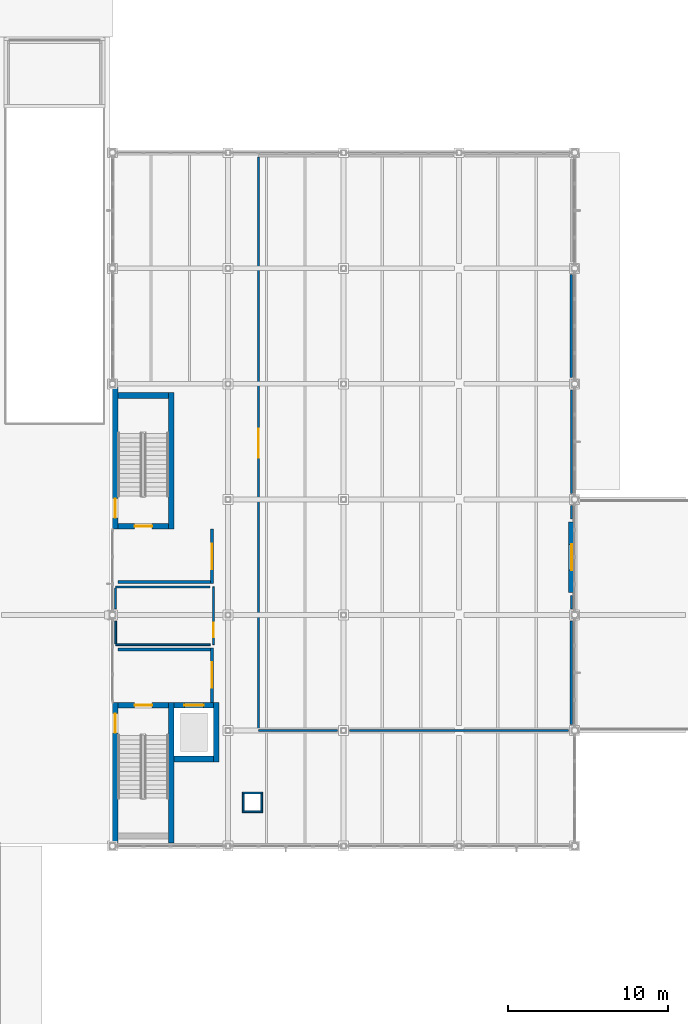
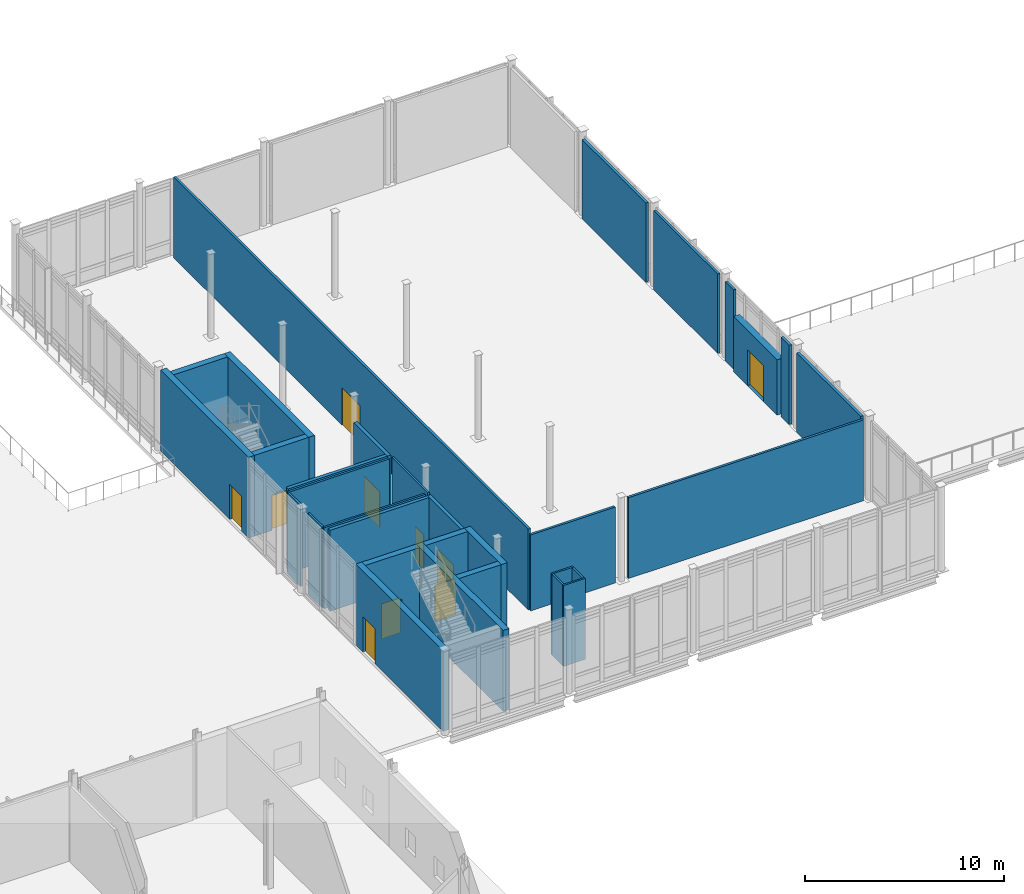
# One storey, part 65 of 89: 32 walls, 10 doors, 10 openings.
"""IFC4 building model written with IfcOpenShell, lengths in metres."""

from ifc_helpers import new_model, si_unit, direction, frame, frame_2d, origin, place, context, subcontext, project, spatial, rectangle, extrude, material, layer, layer_set, type_object, element, fill, save


model = new_model("IFC4")

# Units and contexts
model_context = context("Model", 3, precision=1e-05, world=origin(), true_north=direction((0.0, 1.0)))
body_context = subcontext(model_context, "Body", "Model", "MODEL_VIEW")
ifc_project = project(units=[si_unit("LENGTHUNIT", "METRE"), si_unit("AREAUNIT", "SQUARE_METRE"), si_unit("VOLUMEUNIT", "CUBIC_METRE"), si_unit("PLANEANGLEUNIT", "RADIAN"), si_unit("MASSUNIT", "GRAM", prefix="KILO")], contexts=[model_context])

# Site, building, storey
site_placement = place(None, origin())
site = spatial("IfcSite", under=ifc_project, at=site_placement, CompositionType="ELEMENT")
building_placement = place(site_placement, origin())
building = spatial("IfcBuilding", under=site, at=building_placement, Name="Zarrinpeak Specialist Clinic", CompositionType="ELEMENT")
storey_placement = place(building_placement, origin())
storey = spatial("IfcBuildingStorey", under=building, at=storey_placement, Name="L00", CompositionType="ELEMENT", Elevation=0.0)

# Wall, opening, door
ifc_material_1 = material(Name="Concrete C40/50", Category="concrete")
ifc_layer_1 = layer(ifc_material_1, 0.35009765625)
ifc_layer_set_1 = layer_set([ifc_layer_1], Name="Concrete C40/50")
wall_type_1 = type_object("IfcWallType", Name="WL-CR350", PredefinedType="SHEAR", material=ifc_layer_set_1)
wall_1_placement = place(storey_placement, frame((93.949951171875, 37.574951171875, 0.0), z_axis=(0.0, 0.0, 1.0), x_axis=(1.0, 0.0, 0.0)))
wall_1 = element("IfcWall", 1, at=wall_1_placement, inside=storey, type_object=wall_type_1, Name="L00 Core C05 Shear Wall STN", PredefinedType="SHEAR", context=body_context, shape_type="SweptSolid", body=[
    extrude(rectangle(XDim=3.150146484375, YDim=0.35009765625, at=frame_2d((1.5751953125, 0.0))), origin(), (0.0, 0.0, 1.0), 4.969970703125),
])
opening_1_placement = place(wall_1_placement, frame((1.02490234375, 0.0, 0.0)))
opening_1 = element("IfcOpeningElement", 2, at=opening_1_placement, cuts=wall_1, Name="Opening D-S02", PredefinedType="OPENING", context=body_context, shape_type="SweptSolid", body=[
    extrude(rectangle(XDim=1.10009765625, YDim=2.14990234375, at=frame_2d((0.550048828125, 1.074951171875))), frame((0.0, 0.18505859375, 0.0), z_axis=(0.0, -1.0, 0.0), x_axis=(1.0, 0.0, 0.0)), (0.0, 0.0, 1.0), 0.3701171875),
])
ifc_material_2 = material(Name="Powder-Coated Galvanised Steel", Category="steel")
door_type_1 = type_object("IfcDoorType", Name="DR-FD110", OperationType="SINGLE_SWING_RIGHT", PredefinedType="DOOR", material=ifc_material_2)
door_1_placement = place(opening_1_placement, frame((1.10009765625, 0.0, 0.0), z_axis=(0.0, 0.0, 1.0), x_axis=(-1.0, 0.0, 0.0)))
door_1 = element("IfcDoor", 3, at=door_1_placement, inside=storey, type_object=door_type_1, Name="L00 Protected Stair ST-05 Fire Door", OperationType="SINGLE_SWING_RIGHT", OverallHeight=2.14990234375, OverallWidth=1.10009765625, PredefinedType="DOOR", context=body_context, shape_type="SweptSolid", body=[
    extrude(rectangle(XDim=1.10009765625, YDim=2.14990234375, at=frame_2d((0.550048828125, 1.074951171875))), frame((0.0, 0.02490234375, 0.0), z_axis=(0.0, -1.0, 0.0), x_axis=(1.0, 0.0, 0.0)), (0.0, 0.0, 1.0), 0.050048828125),
])
fill(opening_1, door_1)

wall_2_placement = place(storey_placement, frame((93.77490234375, 29.0, 0.0), z_axis=(0.0, 0.0, 1.0), x_axis=(0.0, 1.0, 0.0)))
wall_2 = element("IfcWall", 4, at=wall_2_placement, inside=storey, type_object=wall_type_1, Name="L00 Core C05 Shear Wall STW", PredefinedType="SHEAR", context=body_context, shape_type="SweptSolid", body=[
    extrude(rectangle(XDim=8.75, YDim=0.35009765625, at=frame_2d((4.375, 0.0))), origin(), (0.0, 0.0, 1.0), 4.969970703125),
])
opening_2_placement = place(wall_2_placement, frame((6.85009765625, 0.0, 0.0)))
opening_2 = element("IfcOpeningElement", 5, at=opening_2_placement, cuts=wall_2, Name="Opening D-EX2", PredefinedType="OPENING", context=body_context, shape_type="SweptSolid", body=[
    extrude(rectangle(XDim=1.199951171875, YDim=2.14990234375, at=frame_2d((0.60009765625, 1.074951171875))), frame((0.0, 0.18505859375, 0.0), z_axis=(0.0, -1.0, 0.0), x_axis=(1.0, 0.0, 0.0)), (0.0, 0.0, 1.0), 0.3701171875),
])
ifc_material_3 = material(Name="Powder-Coated Steel and Safety Glazing", Category="steel")
door_type_2 = type_object("IfcDoorType", Name="DR-EX120", OperationType="SINGLE_SWING_LEFT", PredefinedType="DOOR", material=ifc_material_3)
door_2_placement = place(opening_2_placement, origin())
door_2 = element("IfcDoor", 6, at=door_2_placement, inside=storey, type_object=door_type_2, Name="L00 Protected Stair ST-05 Final Exit Discharge Door ED-05", OperationType="SINGLE_SWING_LEFT", OverallHeight=2.14990234375, OverallWidth=1.199951171875, PredefinedType="DOOR", context=body_context, shape_type="SweptSolid", body=[
    extrude(rectangle(XDim=1.199951171875, YDim=2.14990234375, at=frame_2d((0.60009765625, 1.074951171875))), frame((0.0, 0.02490234375, 0.0), z_axis=(0.0, -1.0, 0.0), x_axis=(1.0, 0.0, 0.0)), (0.0, 0.0, 1.0), 0.050048828125),
])
fill(opening_2, door_2)

# Walls
wall_3_placement = place(storey_placement, frame((97.27490234375, 29.0, 0.0), z_axis=(0.0, 0.0, 1.0), x_axis=(0.0, 1.0, 0.0)))
element("IfcWall", 7, at=wall_3_placement, inside=storey, type_object=wall_type_1, Name="L00 Core C05 Shear Wall STE", PredefinedType="SHEAR", context=body_context, shape_type="SweptSolid", body=[
    extrude(rectangle(XDim=8.75, YDim=0.35009765625, at=frame_2d((4.375, 0.0))), origin(), (0.0, 0.0, 1.0), 4.969970703125),
])
wall_4_placement = place(storey_placement, frame((97.449951171875, 34.22509765625, 0.0), z_axis=(0.0, 0.0, 1.0), x_axis=(1.0, 0.0, 0.0)))
element("IfcWall", 8, at=wall_4_placement, inside=storey, type_object=wall_type_1, Name="L00 Lift LF-P3 Shaft Wall LFS", PredefinedType="SHEAR", context=body_context, shape_type="SweptSolid", body=[
    extrude(rectangle(XDim=2.449951171875, YDim=0.35009765625, at=frame_2d((1.22509765625, 0.0))), origin(), (0.0, 0.0, 1.0), 4.969970703125),
])

# Wall, opening, door
wall_5_placement = place(storey_placement, frame((97.449951171875, 37.574951171875, 0.0), z_axis=(0.0, 0.0, 1.0), x_axis=(1.0, 0.0, 0.0)))
wall_5 = element("IfcWall", 9, at=wall_5_placement, inside=storey, type_object=wall_type_1, Name="L00 Lift LF-P3 Shaft Wall LFN", PredefinedType="SHEAR", context=body_context, shape_type="SweptSolid", body=[
    extrude(rectangle(XDim=2.449951171875, YDim=0.35009765625, at=frame_2d((1.22509765625, 0.0))), origin(), (0.0, 0.0, 1.0), 4.969970703125),
])
opening_3_placement = place(wall_5_placement, frame((0.625, 0.0, 0.0)))
opening_3 = element("IfcOpeningElement", 10, at=opening_3_placement, cuts=wall_5, Name="Opening LD-02", PredefinedType="OPENING", context=body_context, shape_type="SweptSolid", body=[
    extrude(rectangle(XDim=1.199951171875, YDim=2.199951171875, at=frame_2d((0.60009765625, 1.10009765625))), frame((0.0, 0.18505859375, 0.0), z_axis=(0.0, -1.0, 0.0), x_axis=(1.0, 0.0, 0.0)), (0.0, 0.0, 1.0), 0.3701171875),
])
door_type_3 = type_object("IfcDoorType", Name="DR-LD120", OperationType="SLIDING_TO_RIGHT", PredefinedType="DOOR", material=ifc_material_2)
door_3_placement = place(opening_3_placement, origin())
door_3 = element("IfcDoor", 11, at=door_3_placement, inside=storey, type_object=door_type_3, Name="L00 Lift LF-P3 Sliding Landing Door", OperationType="SLIDING_TO_RIGHT", OverallHeight=2.199951171875, OverallWidth=1.199951171875, PredefinedType="DOOR", context=body_context, shape_type="SweptSolid", body=[
    extrude(rectangle(XDim=1.199951171875, YDim=2.199951171875, at=frame_2d((0.60009765625, 1.10009765625))), frame((0.0, 0.02490234375, 0.0), z_axis=(0.0, -1.0, 0.0), x_axis=(1.0, 0.0, 0.0)), (0.0, 0.0, 1.0), 0.050048828125),
])
fill(opening_3, door_3)

# Wall
wall_6_placement = place(storey_placement, frame((100.074951171875, 34.050048828125, 0.0), z_axis=(0.0, 0.0, 1.0), x_axis=(0.0, 1.0, 0.0)))
element("IfcWall", 12, at=wall_6_placement, inside=storey, type_object=wall_type_1, Name="L00 Lift LF-P3 Shaft Wall LFE", PredefinedType="SHEAR", context=body_context, shape_type="SweptSolid", body=[
    extrude(rectangle(XDim=3.699951171875, YDim=0.35009765625, at=frame_2d((1.85009765625, 0.0))), origin(), (0.0, 0.0, 1.0), 4.969970703125),
])

# Wall, opening, door
wall_7_placement = place(storey_placement, frame((93.949951171875, 48.72509765625, 0.0), z_axis=(0.0, 0.0, 1.0), x_axis=(1.0, 0.0, 0.0)))
wall_7 = element("IfcWall", 13, at=wall_7_placement, inside=storey, type_object=wall_type_1, Name="L00 Core C06 Shear Wall STS", PredefinedType="SHEAR", context=body_context, shape_type="SweptSolid", body=[
    extrude(rectangle(XDim=3.150146484375, YDim=0.35009765625, at=frame_2d((1.5751953125, 0.0))), origin(), (0.0, 0.0, 1.0), 4.969970703125),
])
opening_4_placement = place(wall_7_placement, frame((1.02490234375, 0.0, 0.0)))
opening_4 = element("IfcOpeningElement", 14, at=opening_4_placement, cuts=wall_7, Name="Opening D-S02", PredefinedType="OPENING", context=body_context, shape_type="SweptSolid", body=[
    extrude(rectangle(XDim=1.10009765625, YDim=2.14990234375, at=frame_2d((0.550048828125, 1.074951171875))), frame((0.0, 0.18505859375, 0.0), z_axis=(0.0, -1.0, 0.0), x_axis=(1.0, 0.0, 0.0)), (0.0, 0.0, 1.0), 0.3701171875),
])
door_4_placement = place(opening_4_placement, origin())
door_4 = element("IfcDoor", 15, at=door_4_placement, inside=storey, type_object=door_type_1, Name="L00 Protected Stair ST-06 Fire Door", OperationType="SINGLE_SWING_RIGHT", OverallHeight=2.14990234375, OverallWidth=1.10009765625, PredefinedType="DOOR", context=body_context, shape_type="SweptSolid", body=[
    extrude(rectangle(XDim=1.10009765625, YDim=2.14990234375, at=frame_2d((0.550048828125, 1.074951171875))), frame((0.0, 0.02490234375, 0.0), z_axis=(0.0, -1.0, 0.0), x_axis=(1.0, 0.0, 0.0)), (0.0, 0.0, 1.0), 0.050048828125),
])
fill(opening_4, door_4)

# Wall
wall_8_placement = place(storey_placement, frame((93.949951171875, 56.875, 0.0), z_axis=(0.0, 0.0, 1.0), x_axis=(1.0, 0.0, 0.0)))
element("IfcWall", 16, at=wall_8_placement, inside=storey, type_object=wall_type_1, Name="L00 Core C06 Shear Wall STN", PredefinedType="SHEAR", context=body_context, shape_type="SweptSolid", body=[
    extrude(rectangle(XDim=3.150146484375, YDim=0.35009765625, at=frame_2d((1.5751953125, 0.0))), origin(), (0.0, 0.0, 1.0), 4.969970703125),
])

# Wall, opening, door
wall_9_placement = place(storey_placement, frame((93.77490234375, 48.550048828125, 0.0), z_axis=(0.0, 0.0, 1.0), x_axis=(0.0, 1.0, 0.0)))
wall_9 = element("IfcWall", 17, at=wall_9_placement, inside=storey, type_object=wall_type_1, Name="L00 Core C06 Shear Wall STW", PredefinedType="SHEAR", context=body_context, shape_type="SweptSolid", body=[
    extrude(rectangle(XDim=8.8466796875, YDim=0.35009765625, at=frame_2d((4.42333984375, 0.0))), origin(), (0.0, 0.0, 1.0), 4.969970703125),
])
opening_5_placement = place(wall_9_placement, frame((0.699951171875, 0.0, 0.0)))
opening_5 = element("IfcOpeningElement", 18, at=opening_5_placement, cuts=wall_9, Name="Opening D-EX2", PredefinedType="OPENING", context=body_context, shape_type="SweptSolid", body=[
    extrude(rectangle(XDim=1.199951171875, YDim=2.14990234375, at=frame_2d((0.60009765625, 1.074951171875))), frame((0.0, 0.18505859375, 0.0), z_axis=(0.0, -1.0, 0.0), x_axis=(1.0, 0.0, 0.0)), (0.0, 0.0, 1.0), 0.3701171875),
])
door_5_placement = place(opening_5_placement, frame((1.199951171875, 0.0, 0.0), z_axis=(0.0, 0.0, 1.0), x_axis=(-1.0, 0.0, 0.0)))
door_5 = element("IfcDoor", 19, at=door_5_placement, inside=storey, type_object=door_type_2, Name="L00 Protected Stair ST-06 Final Exit Discharge Door ED-06", OperationType="SINGLE_SWING_LEFT", OverallHeight=2.14990234375, OverallWidth=1.199951171875, PredefinedType="DOOR", context=body_context, shape_type="SweptSolid", body=[
    extrude(rectangle(XDim=1.199951171875, YDim=2.14990234375, at=frame_2d((0.60009765625, 1.074951171875))), frame((0.0, 0.02490234375, 0.0), z_axis=(0.0, -1.0, 0.0), x_axis=(1.0, 0.0, 0.0)), (0.0, 0.0, 1.0), 0.050048828125),
])
fill(opening_5, door_5)

# Wall
wall_10_placement = place(storey_placement, frame((97.27490234375, 48.550048828125, 0.0), z_axis=(0.0, 0.0, 1.0), x_axis=(0.0, 1.0, 0.0)))
element("IfcWall", 20, at=wall_10_placement, inside=storey, type_object=wall_type_1, Name="L00 Core C06 Shear Wall STE", PredefinedType="SHEAR", context=body_context, shape_type="SweptSolid", body=[
    extrude(rectangle(XDim=8.5, YDim=0.35009765625, at=frame_2d((4.25, 0.0))), origin(), (0.0, 0.0, 1.0), 4.969970703125),
])

# Wall, opening, door
ifc_material_4 = material(Name="Precast concrete C40/50", Category="concrete")
ifc_layer_2 = layer(ifc_material_4, 0.3798828125)
ifc_layer_set_2 = layer_set([ifc_layer_2], Name="Precast concrete C40/50")
wall_type_2 = type_object("IfcWallType", Name="WL-EW380", PredefinedType="STANDARD", material=ifc_layer_set_2)
wall_11_placement = place(storey_placement, frame((122.2099609375, 44.60009765625, 0.0), z_axis=(0.0, 0.0, 1.0), x_axis=(0.0, 1.0, 0.0)))
wall_11 = element("IfcWall", 21, at=wall_11_placement, inside=storey, type_object=wall_type_2, Name="L00 V3 East Healing Garden Portal Wall", PredefinedType="STANDARD", context=body_context, shape_type="SweptSolid", body=[
    extrude(rectangle(XDim=4.39990234375, YDim=0.3798828125, at=frame_2d((2.199951171875, 0.0))), origin(), (0.0, 0.0, 1.0), 3.39990234375),
])
opening_6_placement = place(wall_11_placement, frame((1.39990234375, 0.0, 0.0)))
opening_6 = element("IfcOpeningElement", 22, at=opening_6_placement, cuts=wall_11, Name="Opening D-TR2", PredefinedType="OPENING", context=body_context, shape_type="SweptSolid", body=[
    extrude(rectangle(XDim=1.60009765625, YDim=2.199951171875, at=frame_2d((0.800048828125, 1.10009765625))), frame((0.0, 0.199951171875, 0.0), z_axis=(0.0, -1.0, 0.0), x_axis=(1.0, 0.0, 0.0)), (0.0, 0.0, 1.0), 0.39990234375),
])
door_type_4 = type_object("IfcDoorType", Name="DR-TER160", OperationType="DOUBLE_DOOR_SINGLE_SWING", PredefinedType="DOOR", material=ifc_material_3)
door_6_placement = place(opening_6_placement, frame((1.60009765625, 0.0, 0.0), z_axis=(0.0, 0.0, 1.0), x_axis=(-1.0, 0.0, 0.0)))
door_6 = element("IfcDoor", 23, at=door_6_placement, inside=storey, type_object=door_type_4, Name="L00 V3 Winterhouse to East Healing Garden C2 Double Door", OperationType="DOUBLE_DOOR_SINGLE_SWING", OverallHeight=2.199951171875, OverallWidth=1.60009765625, PredefinedType="DOOR", context=body_context, shape_type="SweptSolid", body=[
    extrude(rectangle(XDim=1.60009765625, YDim=2.199951171875, at=frame_2d((0.800048828125, 1.10009765625))), frame((0.0, 0.02490234375, 0.0), z_axis=(0.0, -1.0, 0.0), x_axis=(1.0, 0.0, 0.0)), (0.0, 0.0, 1.0), 0.050048828125),
])
fill(opening_6, door_6)

# Walls
ifc_material_5 = material(Name="Sanitary Service Chase Plumbing Wall", Category="gypsum")
ifc_layer_3 = layer(ifc_material_5, 0.110107421875)
ifc_layer_set_3 = layer_set([ifc_layer_3], Name="Sanitary Service Chase Plumbing Wall")
wall_type_3 = type_object("IfcWallType", Name="WL-IW110", PredefinedType="PARTITIONING", material=ifc_layer_set_3)
for number, where, z_axis, x_axis, name in (
    (24, (101.68994140625, 30.945068359375, 0.0), (0.0, 0.0, 1.0), (1.0, 0.0, 0.0), "L00 V3 Enclosed MEP Service Riser Wall S"),
    (25, (101.68994140625, 32.10498046875, 0.0), (0.0, 0.0, 1.0), (1.0, 0.0, 0.0), "L00 V3 Enclosed MEP Service Riser Wall N"),
):
    element("IfcWall", number, at=place(storey_placement, frame(where, z_axis=z_axis, x_axis=x_axis)), inside=storey, type_object=wall_type_3, Name=name, PredefinedType="PARTITIONING", context=body_context, shape_type="SweptSolid", body=[
        extrude(rectangle(XDim=1.27001953125, YDim=0.110107421875, at=frame_2d((0.635009765625, 0.0))), origin(), (0.0, 0.0, 1.0), 4.969970703125),
    ])
for number, where, z_axis, x_axis, name in (
    (26, (101.7451171875, 31.0, 0.0), (0.0, 0.0, 1.0), (0.0, 1.0, 0.0), "L00 V3 Enclosed MEP Service Riser Wall W"),
    (27, (102.905029296875, 31.0, 0.0), (0.0, 0.0, 1.0), (0.0, 1.0, 0.0), "L00 V3 Enclosed MEP Service Riser Wall E"),
):
    element("IfcWall", number, at=place(storey_placement, frame(where, z_axis=z_axis, x_axis=x_axis)), inside=storey, type_object=wall_type_3, Name=name, PredefinedType="PARTITIONING", context=body_context, shape_type="SweptSolid", body=[
        extrude(rectangle(XDim=1.050048828125, YDim=0.110107421875, at=frame_2d((0.52490234375, 0.0))), origin(), (0.0, 0.0, 1.0), 4.969970703125),
    ])
wall_12_placement = place(storey_placement, frame((93.800048828125, 41.35009765625, 0.0), z_axis=(0.0, 0.0, 1.0), x_axis=(1.0, 0.0, 0.0)))
element("IfcWall", 28, at=wall_12_placement, inside=storey, type_object=wall_type_3, Name="L00 L00 V3 Assisted Rehab Washroom Partition", PredefinedType="PARTITIONING", context=body_context, shape_type="SweptSolid", body=[
    extrude(rectangle(XDim=5.8798828125, YDim=0.110107421875, at=frame_2d((2.93994140625, 0.0))), origin(), (0.0, 0.0, 1.0), 4.969970703125),
])
wall_13_placement = place(storey_placement, frame((93.800048828125, 41.405029296875, 0.0), z_axis=(0.0, 0.0, 1.0), x_axis=(0.0, 1.0, 0.0)))
element("IfcWall", 29, at=wall_13_placement, inside=storey, type_object=wall_type_3, Name="L00 L00 V3 Assisted Rehab Washroom Dividing Partition", PredefinedType="PARTITIONING", context=body_context, shape_type="SweptSolid", body=[
    extrude(rectangle(XDim=1.4150390625, YDim=0.110107421875, at=frame_2d((0.70751953125, 0.0))), origin(), (0.0, 0.0, 1.0), 4.969970703125),
])

# Wall, opening, door
wall_14_placement = place(storey_placement, frame((99.89990234375, 41.35009765625, 0.0), z_axis=(0.0, 0.0, 1.0), x_axis=(0.0, 1.0, 0.0)))
wall_14 = element("IfcWall", 30, at=wall_14_placement, inside=storey, type_object=wall_type_3, Name="L00 L00 V3 Assisted Rehab Washroom Dividing Partition", PredefinedType="PARTITIONING", context=body_context, shape_type="SweptSolid", body=[
    extrude(rectangle(XDim=3.599853515625, YDim=0.110107421875, at=frame_2d((1.7998046875, 0.0))), origin(), (0.0, 0.0, 1.0), 4.969970703125),
])
opening_7_placement = place(wall_14_placement, frame((0.449951171875, 0.0, 0.0)))
opening_7 = element("IfcOpeningElement", 31, at=opening_7_placement, cuts=wall_14, Name="Opening D-W01", PredefinedType="OPENING", context=body_context, shape_type="SweptSolid", body=[
    extrude(rectangle(XDim=0.89990234375, YDim=2.10009765625, at=frame_2d((0.449951171875, 1.050048828125))), frame((0.0, 0.06494140625, 0.0), z_axis=(0.0, -1.0, 0.0), x_axis=(1.0, 0.0, 0.0)), (0.0, 0.0, 1.0), 0.130126953125),
])
door_type_5 = type_object("IfcDoorType", Name="DR-WC90", OperationType="SINGLE_SWING_RIGHT", PredefinedType="DOOR", material=ifc_material_2)
door_7_placement = place(opening_7_placement, frame((0.89990234375, 0.0, 0.0), z_axis=(0.0, 0.0, 1.0), x_axis=(-1.0, 0.0, 0.0)))
door_7 = element("IfcDoor", 32, at=door_7_placement, inside=storey, type_object=door_type_5, Name="L00 L00 V3 Assisted Rehab Washroom Door", OperationType="SINGLE_SWING_RIGHT", OverallHeight=2.10009765625, OverallWidth=0.89990234375, PredefinedType="DOOR", context=body_context, shape_type="SweptSolid", body=[
    extrude(rectangle(XDim=0.89990234375, YDim=2.10009765625, at=frame_2d((0.449951171875, 1.050048828125))), frame((0.0, 0.02490234375, 0.0), z_axis=(0.0, -1.0, 0.0), x_axis=(1.0, 0.0, 0.0)), (0.0, 0.0, 1.0), 0.050048828125),
])
fill(opening_7, door_7)

# Walls
ifc_material_6 = material(Name="Moisture-Resistant Wet-Room Partition", Category="gypsum")
ifc_layer_4 = layer(ifc_material_6, 0.125)
ifc_layer_set_4 = layer_set([ifc_layer_4], Name="Moisture-Resistant Wet-Room Partition")
wall_type_4 = type_object("IfcWallType", Name="WL-IW125W", PredefinedType="PARTITIONING", material=ifc_layer_set_4)
wall_15_placement = place(storey_placement, frame((93.800048828125, 44.949951171875, 0.0), z_axis=(0.0, 0.0, 1.0), x_axis=(1.0, 0.0, 0.0)))
element("IfcWall", 33, at=wall_15_placement, inside=storey, type_object=wall_type_4, Name="L00 L00 V3 Assisted Rehab Washroom Partition", PredefinedType="PARTITIONING", context=body_context, shape_type="SweptSolid", body=[
    extrude(rectangle(XDim=5.8798828125, YDim=0.125, at=frame_2d((2.93994140625, 0.0))), origin(), (0.0, 0.0, 1.0), 4.969970703125),
])
wall_16_placement = place(storey_placement, frame((93.800048828125, 43.580078125, 0.0), z_axis=(0.0, 0.0, 1.0), x_axis=(0.0, 1.0, 0.0)))
element("IfcWall", 34, at=wall_16_placement, inside=storey, type_object=wall_type_4, Name="L00 L00 V3 Assisted Rehab Washroom Dividing Partition", PredefinedType="PARTITIONING", context=body_context, shape_type="SweptSolid", body=[
    extrude(rectangle(XDim=1.307373046875, YDim=0.125, at=frame_2d((0.65380859375, 0.0))), origin(), (0.0, 0.0, 1.0), 4.969970703125),
])
ifc_material_7 = material(Name="Standard Drywall Partition", Category="gypsum")
ifc_layer_5 = layer(ifc_material_7, 0.135009765625)
ifc_layer_set_5 = layer_set([ifc_layer_5], Name="Standard Drywall Partition")
wall_type_5 = type_object("IfcWallType", Name="WL-IW135", PredefinedType="PARTITIONING", material=ifc_layer_set_5)
wall_17_placement = place(storey_placement, frame((102.699951171875, 36.0, 0.0), z_axis=(0.0, 0.0, 1.0), x_axis=(1.0, 0.0, 0.0)))
element("IfcWall", 35, at=wall_17_placement, inside=storey, type_object=wall_type_5, Name="L00 Therapeutic Winterhouse Hall Partition", PredefinedType="PARTITIONING", context=body_context, shape_type="SweptSolid", body=[
    extrude(rectangle(XDim=4.920166015625, YDim=0.135009765625, at=frame_2d((2.4599609375, 0.0))), origin(), (0.0, 0.0, 1.0), 4.6650390625),
])
wall_18_placement = place(storey_placement, frame((108.3798828125, 36.0, 0.0), z_axis=(0.0, 0.0, 1.0), x_axis=(1.0, 0.0, 0.0)))
element("IfcWall", 36, at=wall_18_placement, inside=storey, type_object=wall_type_5, Name="L00 Therapeutic Winterhouse Hall Partition", PredefinedType="PARTITIONING", context=body_context, shape_type="SweptSolid", body=[
    extrude(rectangle(XDim=13.64013671875, YDim=0.135009765625, at=frame_2d((6.820068359375, 0.0))), origin(), (0.0, 0.0, 1.0), 4.969970703125),
])

# Wall, opening, door
wall_19_placement = place(storey_placement, frame((102.699951171875, 36.0673828125, 0.0), z_axis=(0.0, 0.0, 1.0), x_axis=(0.0, 1.0, 0.0)))
wall_19 = element("IfcWall", 37, at=wall_19_placement, inside=storey, type_object=wall_type_5, Name="L00 Therapeutic Winterhouse Hall Dividing Partition", PredefinedType="PARTITIONING", context=body_context, shape_type="SweptSolid", body=[
    extrude(rectangle(XDim=35.65771484375, YDim=0.135009765625, at=frame_2d((17.828857421875, 0.0))), origin(), (0.0, 0.0, 1.0), 4.969970703125),
])
opening_8_placement = place(wall_19_placement, frame((16.9287109375, 0.0, 0.0)))
opening_8 = element("IfcOpeningElement", 38, at=opening_8_placement, cuts=wall_19, Name="Opening D-H01", PredefinedType="OPENING", context=body_context, shape_type="SweptSolid", body=[
    extrude(rectangle(XDim=1.800048828125, YDim=2.300048828125, at=frame_2d((0.89990234375, 1.14990234375))), frame((0.0, 0.07763671875, 0.0), z_axis=(0.0, -1.0, 0.0), x_axis=(1.0, 0.0, 0.0)), (0.0, 0.0, 1.0), 0.155029296875),
])
door_type_6 = type_object("IfcDoorType", Name="DR-HAL180", OperationType="DOUBLE_DOOR_SINGLE_SWING", PredefinedType="DOOR", material=ifc_material_2)
door_8_placement = place(opening_8_placement, origin())
door_8 = element("IfcDoor", 39, at=door_8_placement, inside=storey, type_object=door_type_6, Name="L00 Therapeutic Winterhouse Hall Door", OperationType="DOUBLE_DOOR_SINGLE_SWING", OverallHeight=2.300048828125, OverallWidth=1.800048828125, PredefinedType="DOOR", context=body_context, shape_type="SweptSolid", body=[
    extrude(rectangle(XDim=1.800048828125, YDim=2.300048828125, at=frame_2d((0.89990234375, 1.14990234375))), frame((0.0, 0.02490234375, 0.0), z_axis=(0.0, -1.0, 0.0), x_axis=(1.0, 0.0, 0.0)), (0.0, 0.0, 1.0), 0.050048828125),
])
fill(opening_8, door_8)

# Walls
wall_20_placement = place(storey_placement, frame((122.199951171875, 50.780029296875, 0.0), z_axis=(0.0, 0.0, 1.0), x_axis=(0.0, 1.0, 0.0)))
element("IfcWall", 40, at=wall_20_placement, inside=storey, type_object=wall_type_5, Name="L00 Therapeutic Winterhouse Hall Dividing Partition", PredefinedType="PARTITIONING", context=body_context, shape_type="SweptSolid", body=[
    extrude(rectangle(XDim=6.43994140625, YDim=0.135009765625, at=frame_2d((3.219970703125, 0.0))), origin(), (0.0, 0.0, 1.0), 4.875),
])
ifc_material_8 = material(Name="Acoustic Consultation Stud Partition", Category="gypsum")
ifc_layer_6 = layer(ifc_material_8, 0.14208984375)
ifc_layer_set_6 = layer_set([ifc_layer_6], Name="Acoustic Consultation Stud Partition")
wall_type_6 = type_object("IfcWallType", Name="WL-IW142", PredefinedType="PARTITIONING", material=ifc_layer_set_6)
wall_21_placement = place(storey_placement, frame((122.199951171875, 49.18994140625, 0.0), z_axis=(0.0, 0.0, 1.0), x_axis=(0.0, 1.0, 0.0)))
element("IfcWall", 41, at=wall_21_placement, inside=storey, type_object=wall_type_6, Name="L00 Therapeutic Winterhouse Hall Dividing Partition", PredefinedType="PARTITIONING", context=body_context, shape_type="SweptSolid", body=[
    extrude(rectangle(XDim=0.830078125, YDim=0.14208984375, at=frame_2d((0.4150390625, 0.0))), origin(), (0.0, 0.0, 1.0), 4.875),
])
ifc_material_9 = material(Name="Insulated Clinical Gypsum Stud Partition", Category="gypsum")
ifc_layer_7 = layer(ifc_material_9, 0.14990234375)
ifc_layer_set_7 = layer_set([ifc_layer_7], Name="Insulated Clinical Gypsum Stud Partition")
wall_type_7 = type_object("IfcWallType", Name="WL-IW150", PredefinedType="PARTITIONING", material=ifc_layer_set_7)
wall_22_placement = place(storey_placement, frame((122.199951171875, 43.580078125, 0.0), z_axis=(0.0, 0.0, 1.0), x_axis=(0.0, 1.0, 0.0)))
element("IfcWall", 42, at=wall_22_placement, inside=storey, type_object=wall_type_7, Name="L00 Therapeutic Winterhouse Hall Dividing Partition", PredefinedType="PARTITIONING", context=body_context, shape_type="SweptSolid", body=[
    extrude(rectangle(XDim=0.829833984375, YDim=0.14990234375, at=frame_2d((0.4150390625, 0.0))), origin(), (0.0, 0.0, 1.0), 4.875),
])
ifc_material_10 = material(Name="Acoustic Double Gypsum Stud Partition", Category="gypsum")
ifc_layer_8 = layer(ifc_material_10, 0.159912109375)
ifc_layer_set_8 = layer_set([ifc_layer_8], Name="Acoustic Double Gypsum Stud Partition")
wall_type_8 = type_object("IfcWallType", Name="WL-IW160", PredefinedType="PARTITIONING", material=ifc_layer_set_8)
wall_23_placement = place(storey_placement, frame((122.199951171875, 36.3798828125, 0.0), z_axis=(0.0, 0.0, 1.0), x_axis=(0.0, 1.0, 0.0)))
element("IfcWall", 43, at=wall_23_placement, inside=storey, type_object=wall_type_8, Name="L00 Therapeutic Winterhouse Hall Dividing Partition", PredefinedType="PARTITIONING", context=body_context, shape_type="SweptSolid", body=[
    extrude(rectangle(XDim=6.440185546875, YDim=0.159912109375, at=frame_2d((3.22021484375, 0.0))), origin(), (0.0, 0.0, 1.0), 4.875),
])
wall_24_placement = place(storey_placement, frame((122.199951171875, 57.97998046875, 0.0), z_axis=(0.0, 0.0, 1.0), x_axis=(0.0, 1.0, 0.0)))
element("IfcWall", 44, at=wall_24_placement, inside=storey, type_object=wall_type_8, Name="L00 Therapeutic Winterhouse Hall Dividing Partition", PredefinedType="PARTITIONING", context=body_context, shape_type="SweptSolid", body=[
    extrude(rectangle(XDim=6.43994140625, YDim=0.159912109375, at=frame_2d((3.219970703125, 0.0))), origin(), (0.0, 0.0, 1.0), 4.875),
])

# Wall, opening, door
ifc_material_11 = material(Name="Autoclaved Aerated Concrete Blockwork", Category="masonry")
ifc_layer_9 = layer(ifc_material_11, 0.199951171875)
ifc_layer_set_9 = layer_set([ifc_layer_9], Name="Autoclaved Aerated Concrete Blockwork")
wall_type_9 = type_object("IfcWallType", Name="WL-IW200", PredefinedType="PARTITIONING", material=ifc_layer_set_9)
wall_25_placement = place(storey_placement, frame((99.800048828125, 37.75, 0.0), z_axis=(0.0, 0.0, 1.0), x_axis=(0.0, 1.0, 0.0)))
wall_25 = element("IfcWall", 45, at=wall_25_placement, inside=storey, type_object=wall_type_9, Name="L00 C05 Protected Lobby Partition LBF", PredefinedType="PARTITIONING", context=body_context, shape_type="SweptSolid", body=[
    extrude(rectangle(XDim=3.39990234375, YDim=0.199951171875, at=frame_2d((1.699951171875, 0.0))), origin(), (0.0, 0.0, 1.0), 4.969970703125),
])
opening_9_placement = place(wall_25_placement, frame((0.89990234375, 0.0, 0.0)))
opening_9 = element("IfcOpeningElement", 46, at=opening_9_placement, cuts=wall_25, Name="Opening D-L01", PredefinedType="OPENING", context=body_context, shape_type="SweptSolid", body=[
    extrude(rectangle(XDim=1.60009765625, YDim=2.199951171875, at=frame_2d((0.800048828125, 1.10009765625))), frame((0.0, 0.10986328125, 0.0), z_axis=(0.0, -1.0, 0.0), x_axis=(1.0, 0.0, 0.0)), (0.0, 0.0, 1.0), 0.219970703125),
])
door_type_7 = type_object("IfcDoorType", Name="DR-LB160", OperationType="DOUBLE_DOOR_SINGLE_SWING", PredefinedType="DOOR", material=ifc_material_2)
door_9_placement = place(opening_9_placement, origin())
door_9 = element("IfcDoor", 47, at=door_9_placement, inside=storey, type_object=door_type_7, Name="L00 C05 Lobby Hold-Open Fire Door", OperationType="DOUBLE_DOOR_SINGLE_SWING", OverallHeight=2.199951171875, OverallWidth=1.60009765625, PredefinedType="DOOR", context=body_context, shape_type="SweptSolid", body=[
    extrude(rectangle(XDim=1.60009765625, YDim=2.199951171875, at=frame_2d((0.800048828125, 1.10009765625))), frame((0.0, 0.02490234375, 0.0), z_axis=(0.0, -1.0, 0.0), x_axis=(1.0, 0.0, 0.0)), (0.0, 0.0, 1.0), 0.050048828125),
])
fill(opening_9, door_9)

# Wall
wall_26_placement = place(storey_placement, frame((93.949951171875, 41.050048828125, 0.0), z_axis=(0.0, 0.0, 1.0), x_axis=(1.0, 0.0, 0.0)))
element("IfcWall", 48, at=wall_26_placement, inside=storey, type_object=wall_type_9, Name="L00 C05 Protected Lobby Partition LBSIDE", PredefinedType="PARTITIONING", context=body_context, shape_type="SweptSolid", body=[
    extrude(rectangle(XDim=5.75, YDim=0.199951171875, at=frame_2d((2.875, 0.0))), origin(), (0.0, 0.0, 1.0), 4.969970703125),
])

# Wall, opening, door
wall_27_placement = place(storey_placement, frame((99.800048828125, 45.14990234375, 0.0), z_axis=(0.0, 0.0, 1.0), x_axis=(0.0, 1.0, 0.0)))
wall_27 = element("IfcWall", 49, at=wall_27_placement, inside=storey, type_object=wall_type_9, Name="L00 C06 Protected Lobby Partition LBF", PredefinedType="PARTITIONING", context=body_context, shape_type="SweptSolid", body=[
    extrude(rectangle(XDim=3.400146484375, YDim=0.199951171875, at=frame_2d((1.7001953125, 0.0))), origin(), (0.0, 0.0, 1.0), 4.969970703125),
])
opening_10_placement = place(wall_27_placement, frame((0.89990234375, 0.0, 0.0)))
opening_10 = element("IfcOpeningElement", 50, at=opening_10_placement, cuts=wall_27, Name="Opening D-L01", PredefinedType="OPENING", context=body_context, shape_type="SweptSolid", body=[
    extrude(rectangle(XDim=1.60009765625, YDim=2.199951171875, at=frame_2d((0.800048828125, 1.10009765625))), frame((0.0, 0.10986328125, 0.0), z_axis=(0.0, -1.0, 0.0), x_axis=(1.0, 0.0, 0.0)), (0.0, 0.0, 1.0), 0.219970703125),
])
door_10_placement = place(opening_10_placement, origin())
door_10 = element("IfcDoor", 51, at=door_10_placement, inside=storey, type_object=door_type_7, Name="L00 C06 Lobby Hold-Open Fire Door", OperationType="DOUBLE_DOOR_SINGLE_SWING", OverallHeight=2.199951171875, OverallWidth=1.60009765625, PredefinedType="DOOR", context=body_context, shape_type="SweptSolid", body=[
    extrude(rectangle(XDim=1.60009765625, YDim=2.199951171875, at=frame_2d((0.800048828125, 1.10009765625))), frame((0.0, 0.02490234375, 0.0), z_axis=(0.0, -1.0, 0.0), x_axis=(1.0, 0.0, 0.0)), (0.0, 0.0, 1.0), 0.050048828125),
])
fill(opening_10, door_10)

# Wall
wall_28_placement = place(storey_placement, frame((93.949951171875, 45.25, 0.0), z_axis=(0.0, 0.0, 1.0), x_axis=(1.0, 0.0, 0.0)))
element("IfcWall", 52, at=wall_28_placement, inside=storey, type_object=wall_type_9, Name="L00 C06 Protected Lobby Partition LBSIDE", PredefinedType="PARTITIONING", context=body_context, shape_type="SweptSolid", body=[
    extrude(rectangle(XDim=5.75, YDim=0.199951171875, at=frame_2d((2.875, 0.0))), origin(), (0.0, 0.0, 1.0), 4.969970703125),
])

save(model, "model.ifc")
